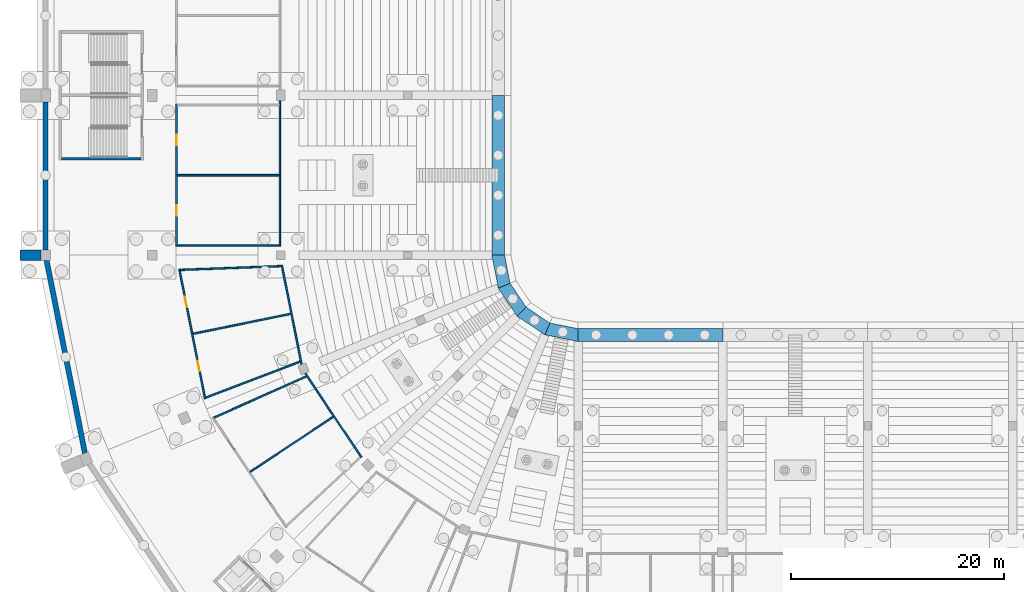
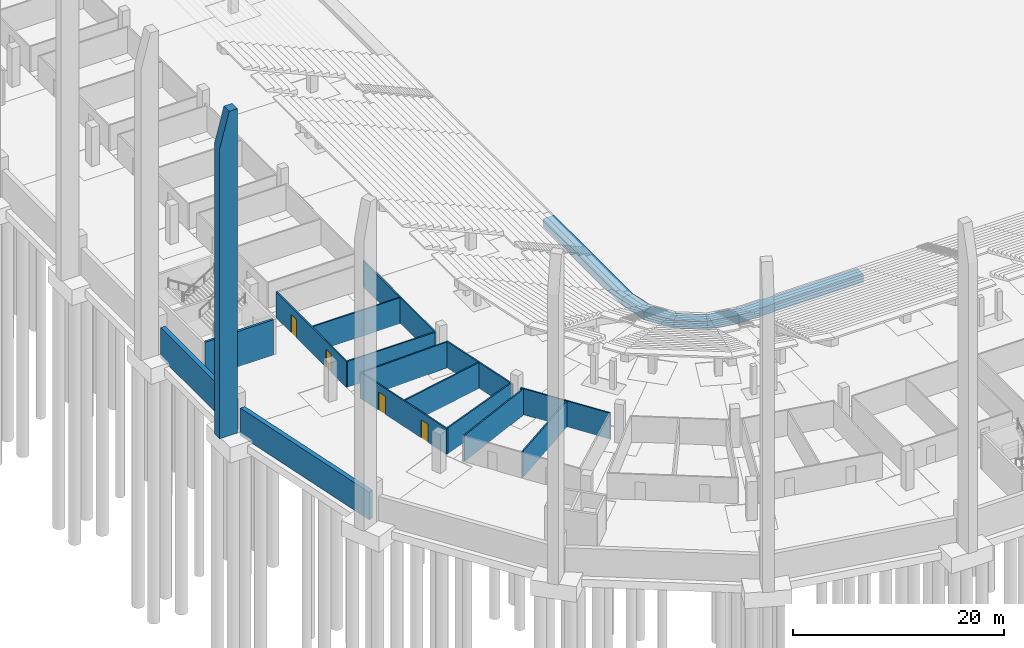
# One storey, part 22 of 115: 22 walls, 4 doors, 4 openings.
"""IFC4 building model written with IfcOpenShell, lengths in metres."""

from ifc_helpers import new_model, si_unit, direction, frame, frame_2d, origin, place, context, subcontext, project, spatial, polyline, rectangle, outline, extrude, material, layer, layer_set, type_object, element, fill, save


model = new_model("IFC4")

# Units and contexts
model_context = context("Model", 3, precision=1e-05, world=origin(), true_north=direction((0.0, 1.0)))
body_context = subcontext(model_context, "Body", "Model", "MODEL_VIEW")
ifc_project = project(units=[si_unit("LENGTHUNIT", "METRE"), si_unit("AREAUNIT", "SQUARE_METRE"), si_unit("VOLUMEUNIT", "CUBIC_METRE"), si_unit("PLANEANGLEUNIT", "RADIAN"), si_unit("MASSUNIT", "GRAM", prefix="KILO")], contexts=[model_context])

# Site, building, storey
site_placement = place(None, origin())
site = spatial("IfcSite", under=ifc_project, at=site_placement, CompositionType="ELEMENT")
building_placement = place(site_placement, origin())
building = spatial("IfcBuilding", under=site, at=building_placement, Name="Ogive Plaza Stadium", CompositionType="ELEMENT")
storey_placement = place(building_placement, frame((0.0, 0.0, -4.5)))
storey = spatial("IfcBuildingStorey", under=building, at=storey_placement, Name="B1", CompositionType="ELEMENT", Elevation=-4.5)

# Walls
ifc_material_1 = material(Name="Masonry blockwork", Category="masonry")
ifc_layer_1 = layer(ifc_material_1, 0.14990234375)
ifc_layer_set_1 = layer_set([ifc_layer_1], Name="Blockwork wall 150")
wall_type_1 = type_object("IfcWallType", Name="Blockwork wall 150", PredefinedType="SOLIDWALL", material=ifc_layer_set_1)
wall_1_placement = place(storey_placement, frame((-59.61376953125, -63.5966796875, 0.0), z_axis=(0.0, 0.0, 1.0), x_axis=(0.555579425305, -0.831463470141, 0.0)))
element("IfcWall", 1, at=wall_1_placement, inside=storey, type_object=wall_type_1, Name="Wall B1 B19", PredefinedType="SOLIDWALL", context=body_context, shape_type="SweptSolid", body=[
    extrude(rectangle(XDim=9.48046875, YDim=0.14990234375, at=frame_2d((4.740234375, 0.0))), origin(), (0.0, 0.0, 1.0), 3.0),
])
wall_2_placement = place(storey_placement, frame((-59.510498046875, -63.88330078125, 0.0), z_axis=(0.0, 0.0, 1.0), x_axis=(-0.913203450279, -0.407503936666, 0.0)))
element("IfcWall", 2, at=wall_2_placement, inside=storey, type_object=wall_type_1, Name="Wall B1 B19", PredefinedType="SOLIDWALL", context=body_context, shape_type="SweptSolid", body=[
    extrude(rectangle(XDim=9.50244140625, YDim=0.14990234375, at=frame_2d((4.751220703125, 0.0))), origin(), (0.0, 0.0, 1.0), 3.0),
])
wall_3_placement = place(storey_placement, frame((-56.9736328125, -67.68017578125, 0.0), z_axis=(0.0, 0.0, 1.0), x_axis=(-0.834320977287, -0.551278973714, 0.0)))
element("IfcWall", 3, at=wall_3_placement, inside=storey, type_object=wall_type_1, Name="Wall B1 B19", PredefinedType="SOLIDWALL", context=body_context, shape_type="SweptSolid", body=[
    extrude(rectangle(XDim=9.366455078125, YDim=0.14990234375, at=frame_2d((4.68310546875, 0.0))), origin(), (0.0, 0.0, 1.0), 3.0),
])
wall_4_placement = place(storey_placement, frame((-59.958251953125, -62.76513671875, 0.0), z_axis=(0.0, 0.0, 1.0), x_axis=(-0.195076015612, 0.980788126016, 0.0)))
element("IfcWall", 4, at=wall_4_placement, inside=storey, type_object=wall_type_1, Name="Wall B1 B20", PredefinedType="SOLIDWALL", context=body_context, shape_type="SweptSolid", body=[
    extrude(rectangle(XDim=9.480224609375, YDim=0.14990234375, at=frame_2d((4.740234375, 0.0))), origin(), (0.0, 0.0, 1.0), 3.0),
])

# Wall, openings, doors
wall_5_placement = place(storey_placement, frame((-69.014892578125, -65.99853515625, 0.0), z_axis=(0.0, 0.0, 1.0), x_axis=(-0.195089091876, 0.980785525093, 0.0)))
wall_5 = element("IfcWall", 5, at=wall_5_placement, inside=storey, type_object=wall_type_1, Name="Wall B1 B20", PredefinedType="SOLIDWALL", context=body_context, shape_type="SweptSolid", body=[
    extrude(rectangle(XDim=12.435546875, YDim=0.14990234375, at=frame_2d((6.2177734375, 0.0))), origin(), (0.0, 0.0, 1.0), 3.0),
])
opening_1_placement = place(wall_5_placement, frame((2.65185546875, 0.0, 0.0)))
opening_1 = element("IfcOpeningElement", 6, at=opening_1_placement, cuts=wall_5, Name="Opening D0335", PredefinedType="OPENING", context=body_context, shape_type="SweptSolid", body=[
    extrude(rectangle(XDim=1.0, YDim=2.10009765625, at=frame_2d((0.5, 1.050048828125))), frame((0.0, 0.074951171875, 0.0), z_axis=(0.0, -1.0, 0.0), x_axis=(1.0, 0.0, 0.0)), (0.0, 0.0, 1.0), 0.14990234375),
])
opening_2_placement = place(wall_5_placement, frame((8.78369140625, 0.0, 0.0)))
opening_2 = element("IfcOpeningElement", 7, at=opening_2_placement, cuts=wall_5, Name="Opening D0336", PredefinedType="OPENING", context=body_context, shape_type="SweptSolid", body=[
    extrude(rectangle(XDim=1.0, YDim=2.10009765625, at=frame_2d((0.5, 1.050048828125))), frame((0.0, 0.074951171875, 0.0), z_axis=(0.0, -1.0, 0.0), x_axis=(1.0, 0.0, 0.0)), (0.0, 0.0, 1.0), 0.14990234375),
])
ifc_material_2 = material(Name="Steel ASTM A572 Grade 50", Category="steel")
door_type = type_object("IfcDoorType", Name="Fire door FD60 1000 x 2100", OperationType="SINGLE_SWING_LEFT", PredefinedType="DOOR", material=ifc_material_2)
door_1_placement = place(opening_1_placement, origin())
door_1 = element("IfcDoor", 8, at=door_1_placement, inside=storey, type_object=door_type, Name="Kitchen Dry Store B20 door", OperationType="SINGLE_SWING_LEFT", OverallHeight=2.10009765625, OverallWidth=1.0, PredefinedType="DOOR", context=body_context, shape_type="SweptSolid", body=[
    extrude(rectangle(XDim=1.0, YDim=2.10009765625, at=frame_2d((0.5, 1.050048828125))), frame((0.0, 0.02490234375, 0.0), z_axis=(0.0, -1.0, 0.0), x_axis=(1.0, 0.0, 0.0)), (0.0, 0.0, 1.0), 0.050048828125),
])
fill(opening_1, door_1)
door_2_placement = place(opening_2_placement, origin())
door_2 = element("IfcDoor", 9, at=door_2_placement, inside=storey, type_object=door_type, Name="Home Team Changing Room B20 door", OperationType="SINGLE_SWING_RIGHT", OverallHeight=2.10009765625, OverallWidth=1.0, PredefinedType="DOOR", context=body_context, shape_type="SweptSolid", body=[
    extrude(rectangle(XDim=1.0, YDim=2.10009765625, at=frame_2d((0.5, 1.050048828125))), frame((0.0, 0.02490234375, 0.0), z_axis=(0.0, -1.0, 0.0), x_axis=(1.0, 0.0, 0.0)), (0.0, 0.0, 1.0), 0.050048828125),
])
fill(opening_2, door_2)

# Walls
wall_6_placement = place(storey_placement, frame((-60.087890625, -62.489501953125, 0.0), z_axis=(0.0, 0.0, 1.0), x_axis=(-0.93388157938, -0.357582432029, 0.0)))
element("IfcWall", 10, at=wall_6_placement, inside=storey, type_object=wall_type_1, Name="Wall B1 B20", PredefinedType="SOLIDWALL", context=body_context, shape_type="SweptSolid", body=[
    extrude(rectangle(XDim=9.50244140625, YDim=0.14990234375, at=frame_2d((4.751220703125, 0.0))), origin(), (0.0, 0.0, 1.0), 3.0),
])
wall_7_placement = place(storey_placement, frame((-60.978759765625, -58.010986328125, 0.0), z_axis=(0.0, 0.0, 1.0), x_axis=(-0.979770487126, -0.200124442675, 0.0)))
element("IfcWall", 11, at=wall_7_placement, inside=storey, type_object=wall_type_1, Name="Wall B1 B20", PredefinedType="SOLIDWALL", context=body_context, shape_type="SweptSolid", body=[
    extrude(rectangle(XDim=9.36669921875, YDim=0.14990234375, at=frame_2d((4.683349609375, 0.0))), origin(), (0.0, 0.0, 1.0), 3.0),
])
wall_8_placement = place(storey_placement, frame((-61.86962890625, -53.532470703125, 0.0), z_axis=(0.0, 0.0, 1.0), x_axis=(-0.999315010022, -0.037006901301, 0.0)))
element("IfcWall", 12, at=wall_8_placement, inside=storey, type_object=wall_type_1, Name="Wall B1 B20", PredefinedType="SOLIDWALL", context=body_context, shape_type="SweptSolid", body=[
    extrude(rectangle(XDim=9.48681640625, YDim=0.14990234375, at=frame_2d((4.743408203125, 0.0))), origin(), (0.0, 0.0, 1.0), 3.0),
])
wall_9_placement = place(storey_placement, frame((-62.0, -38.0, 0.0), z_axis=(0.0, 0.0, 1.0), x_axis=(0.0, -1.0, 0.0)))
element("IfcWall", 13, at=wall_9_placement, inside=storey, type_object=wall_type_1, Name="Wall B1 B21", PredefinedType="SOLIDWALL", context=body_context, shape_type="SweptSolid", body=[
    extrude(rectangle(XDim=13.675048828125, YDim=0.14990234375, at=frame_2d((6.83740234375, 0.0))), origin(), (0.0, 0.0, 1.0), 3.0),
])

# Wall, openings, doors
wall_10_placement = place(storey_placement, frame((-71.699951171875, -38.324951171875, 0.0), z_axis=(0.0, 0.0, 1.0), x_axis=(0.0, -1.0, 0.0)))
wall_10 = element("IfcWall", 14, at=wall_10_placement, inside=storey, type_object=wall_type_1, Name="Wall B1 B21", PredefinedType="SOLIDWALL", context=body_context, shape_type="SweptSolid", body=[
    extrude(rectangle(XDim=13.35009765625, YDim=0.14990234375, at=frame_2d((6.675048828125, 0.0))), origin(), (0.0, 0.0, 1.0), 3.0),
])
opening_3_placement = place(wall_10_placement, frame((2.875, 0.0, 0.0)))
opening_3 = element("IfcOpeningElement", 15, at=opening_3_placement, cuts=wall_10, Name="Opening D0337", PredefinedType="OPENING", context=body_context, shape_type="SweptSolid", body=[
    extrude(rectangle(XDim=1.0, YDim=2.10009765625, at=frame_2d((0.5, 1.050048828125))), frame((0.0, 0.074951171875, 0.0), z_axis=(0.0, -1.0, 0.0), x_axis=(1.0, 0.0, 0.0)), (0.0, 0.0, 1.0), 0.14990234375),
])
opening_4_placement = place(wall_10_placement, frame((9.47509765625, 0.0, 0.0)))
opening_4 = element("IfcOpeningElement", 16, at=opening_4_placement, cuts=wall_10, Name="Opening D0338", PredefinedType="OPENING", context=body_context, shape_type="SweptSolid", body=[
    extrude(rectangle(XDim=1.0, YDim=2.10009765625, at=frame_2d((0.5, 1.050048828125))), frame((0.0, 0.074951171875, 0.0), z_axis=(0.0, -1.0, 0.0), x_axis=(1.0, 0.0, 0.0)), (0.0, 0.0, 1.0), 0.14990234375),
])
door_3_placement = place(opening_3_placement, origin())
door_3 = element("IfcDoor", 17, at=door_3_placement, inside=storey, type_object=door_type, Name="Home Team Changing Room B21 door", OperationType="SINGLE_SWING_LEFT", OverallHeight=2.10009765625, OverallWidth=1.0, PredefinedType="DOOR", context=body_context, shape_type="SweptSolid", body=[
    extrude(rectangle(XDim=1.0, YDim=2.10009765625, at=frame_2d((0.5, 1.050048828125))), frame((0.0, 0.02490234375, 0.0), z_axis=(0.0, -1.0, 0.0), x_axis=(1.0, 0.0, 0.0)), (0.0, 0.0, 1.0), 0.050048828125),
])
fill(opening_3, door_3)
door_4_placement = place(opening_4_placement, origin())
door_4 = element("IfcDoor", 18, at=door_4_placement, inside=storey, type_object=door_type, Name="Home Team Medical Room B21 door", OperationType="SINGLE_SWING_RIGHT", OverallHeight=2.10009765625, OverallWidth=1.0, PredefinedType="DOOR", context=body_context, shape_type="SweptSolid", body=[
    extrude(rectangle(XDim=1.0, YDim=2.10009765625, at=frame_2d((0.5, 1.050048828125))), frame((0.0, 0.02490234375, 0.0), z_axis=(0.0, -1.0, 0.0), x_axis=(1.0, 0.0, 0.0)), (0.0, 0.0, 1.0), 0.050048828125),
])
fill(opening_4, door_4)

# Walls
for number, where, z_axis, x_axis, name in (
    (19, (-62.074951171875, -45.0, 0.0), (0.0, 0.0, 1.0), (-1.0, 0.0, 0.0), "Wall B1 B21"),
    (20, (-62.074951171875, -51.60009765625, 0.0), (0.0, 0.0, 1.0), (-1.0, 0.0, 0.0), "Wall B1 B21"),
):
    element("IfcWall", number, at=place(storey_placement, frame(where, z_axis=z_axis, x_axis=x_axis)), inside=storey, type_object=wall_type_1, Name=name, PredefinedType="SOLIDWALL", context=body_context, shape_type="SweptSolid", body=[
        extrude(rectangle(XDim=9.550048828125, YDim=0.14990234375, at=frame_2d((4.77490234375, 0.0))), origin(), (0.0, 0.0, 1.0), 3.0),
    ])
ifc_material_3 = material(Name="Concrete C45/55 precast", Category="concrete")
ifc_layer_2 = layer(ifc_material_3, 0.949951171875)
ifc_material_4 = material(Name="Cast stone (reconstituted limestone)", Category="masonry")
ifc_layer_3 = layer(ifc_material_4, 0.050048828125)
ifc_layer_set_2 = layer_set([ifc_layer_2, ifc_layer_3], Name="Concrete C45/55 precast, cast stone facing")
wall_type_2 = type_object("IfcWallType", Name="Buttress pier 1000", PredefinedType="SOLIDWALL", material=ifc_layer_set_2)
wall_11_placement = place(storey_placement, frame((-84.449951171875, -52.5, 0.0), z_axis=(0.0, 0.0, 1.0), x_axis=(-1.0, 0.0, 0.0)))
element("IfcWall", 21, at=wall_11_placement, inside=storey, type_object=wall_type_2, Name="BUTTRESS PIER R21", PredefinedType="SOLIDWALL", context=body_context, shape_type="SweptSolid", body=[
    extrude(outline(polyline([(0.0, 0.0), (1.949951171875, 0.0), (1.949951171875, 33.5), (0.89990234375, 37.5), (0.0, 37.5), (0.0, 0.0)])), frame((0.0, 0.5, 0.0), z_axis=(0.0, -1.0, 0.0), x_axis=(1.0, 0.0, 0.0)), (0.0, 0.0, 1.0), 1.0),
])
ifc_material_5 = material(Name="Concrete C40/50", Category="concrete")
ifc_layer_4 = layer(ifc_material_5, 0.25)
ifc_layer_set_3 = layer_set([ifc_layer_4], Name="Concrete C40/50")
wall_type_3 = type_object("IfcWallType", Name="Core wall 250", PredefinedType="SHEAR", material=ifc_layer_set_3)
wall_12_placement = place(storey_placement, frame((-75.050048828125, -43.449951171875, 0.0), z_axis=(0.0, 0.0, 1.0), x_axis=(-1.0, 0.0, 0.0)))
element("IfcWall", 22, at=wall_12_placement, inside=storey, type_object=wall_type_3, Name="Stair core R22 side wall", PredefinedType="SHEAR", context=body_context, shape_type="SweptSolid", body=[
    extrude(rectangle(XDim=7.4599609375, YDim=0.25, at=frame_2d((3.72998046875, 0.0))), origin(), (0.0, 0.0, 1.0), 4.090087890625),
])
ifc_material_6 = material(Name="Concrete C40/50", Category="concrete")
ifc_layer_5 = layer(ifc_material_6, 1.199951171875)
ifc_layer_set_4 = layer_set([ifc_layer_5], Name="Concrete C40/50")
wall_type_4 = type_object("IfcWallType", Name="RC front wall 1200", PredefinedType="SOLIDWALL", material=ifc_layer_set_4)
wall_13_placement = place(storey_placement, frame((0.0, 0.0, -0.39990234375)))
element("IfcWall", 23, at=wall_13_placement, inside=storey, type_object=wall_type_4, Name="Front wall B16", PredefinedType="SOLIDWALL", context=body_context, shape_type="SweptSolid", body=[
    extrude(outline(polyline([(-34.0, -59.39990234375), (-34.0, -60.60009765625), (-20.39990234375, -60.60009765625), (-20.39990234375, -59.39990234375), (-34.0, -59.39990234375)])), origin(), (0.0, 0.0, 1.0), 0.949951171875),
])
wall_14_placement = place(storey_placement, frame((0.0, 0.0, -0.39990234375)))
element("IfcWall", 24, at=wall_14_placement, inside=storey, type_object=wall_type_4, Name="Front wall B17", PredefinedType="SOLIDWALL", context=body_context, shape_type="SweptSolid", body=[
    extrude(outline(polyline([(-36.640625, -58.874755859375), (-37.099853515625, -59.9833984375), (-34.0, -60.60009765625), (-34.0, -59.39990234375), (-36.640625, -58.874755859375)])), origin(), (0.0, 0.0, 1.0), 0.949951171875),
])
wall_15_placement = place(storey_placement, frame((0.0, 0.0, -0.39990234375)))
element("IfcWall", 25, at=wall_15_placement, inside=storey, type_object=wall_type_4, Name="Front wall B18", PredefinedType="SOLIDWALL", context=body_context, shape_type="SweptSolid", body=[
    extrude(outline(polyline([(-38.879150390625, -57.379150390625), (-39.7275390625, -58.2275390625), (-37.099853515625, -59.9833984375), (-36.640625, -58.874755859375), (-38.879150390625, -57.379150390625)])), origin(), (0.0, 0.0, 1.0), 0.949951171875),
])
wall_16_placement = place(storey_placement, frame((0.0, 0.0, -0.39990234375)))
element("IfcWall", 26, at=wall_16_placement, inside=storey, type_object=wall_type_4, Name="Front wall B19", PredefinedType="SOLIDWALL", context=body_context, shape_type="SweptSolid", body=[
    extrude(outline(polyline([(-40.374755859375, -55.140625), (-41.4833984375, -55.599853515625), (-39.7275390625, -58.2275390625), (-38.879150390625, -57.379150390625), (-40.374755859375, -55.140625)])), origin(), (0.0, 0.0, 1.0), 0.949951171875),
])
wall_17_placement = place(storey_placement, frame((0.0, 0.0, -0.39990234375)))
element("IfcWall", 27, at=wall_17_placement, inside=storey, type_object=wall_type_4, Name="Front wall B20", PredefinedType="SOLIDWALL", context=body_context, shape_type="SweptSolid", body=[
    extrude(outline(polyline([(-40.89990234375, -52.5), (-42.10009765625, -52.5), (-41.4833984375, -55.599853515625), (-40.374755859375, -55.140625), (-40.89990234375, -52.5)])), origin(), (0.0, 0.0, 1.0), 0.949951171875),
])
wall_18_placement = place(storey_placement, frame((0.0, 0.0, -0.39990234375)))
element("IfcWall", 28, at=wall_18_placement, inside=storey, type_object=wall_type_4, Name="Front wall B21", PredefinedType="SOLIDWALL", context=body_context, shape_type="SweptSolid", body=[
    extrude(outline(polyline([(-40.89990234375, -37.5), (-42.10009765625, -37.5), (-42.10009765625, -52.5), (-40.89990234375, -52.5), (-40.89990234375, -37.5)])), origin(), (0.0, 0.0, 1.0), 0.949951171875),
])
ifc_material_7 = material(Name="Concrete C40/50", Category="concrete")
ifc_layer_6 = layer(ifc_material_7, 0.5)
ifc_layer_set_5 = layer_set([ifc_layer_6], Name="Concrete C40/50")
wall_type_5 = type_object("IfcWallType", Name="RC retaining wall 500", PredefinedType="SOLIDWALL", material=ifc_layer_set_5)
wall_19_placement = place(storey_placement, frame((-84.0, -52.0, -0.39990234375), z_axis=(0.0, 0.0, 1.0), x_axis=(0.0, 1.0, 0.0)))
element("IfcWall", 29, at=wall_19_placement, inside=storey, type_object=wall_type_5, Name="Retaining wall B21", PredefinedType="SOLIDWALL", context=body_context, shape_type="SweptSolid", body=[
    extrude(rectangle(XDim=13.89990234375, YDim=0.5, at=frame_2d((6.949951171875, 0.0))), origin(), (0.0, 0.0, 1.0), 3.489990234375),
])
ifc_material_8 = material(Name="Concrete C40/50", Category="concrete")
ifc_layer_7 = layer(ifc_material_8, 0.5)
ifc_layer_set_6 = layer_set([ifc_layer_7], Name="Concrete C40/50")
wall_type_6 = type_object("IfcWallType", Name="RC retaining wall 500 A", PredefinedType="SOLIDWALL", material=ifc_layer_set_6)
wall_20_placement = place(storey_placement, frame((0.0, 0.0, -0.39990234375)))
element("IfcWall", 30, at=wall_20_placement, inside=storey, type_object=wall_type_6, Name="Retaining wall B20", PredefinedType="SOLIDWALL", context=body_context, shape_type="SweptSolid", body=[
    extrude(outline(polyline([(-83.650634765625, -53.0), (-84.150634765625, -53.0), (-80.534423828125, -71.179931640625), (-80.072509765625, -70.988525390625), (-83.650634765625, -53.0)])), origin(), (0.0, 0.0, 1.0), 3.18994140625),
])

save(model, "model.ifc")
